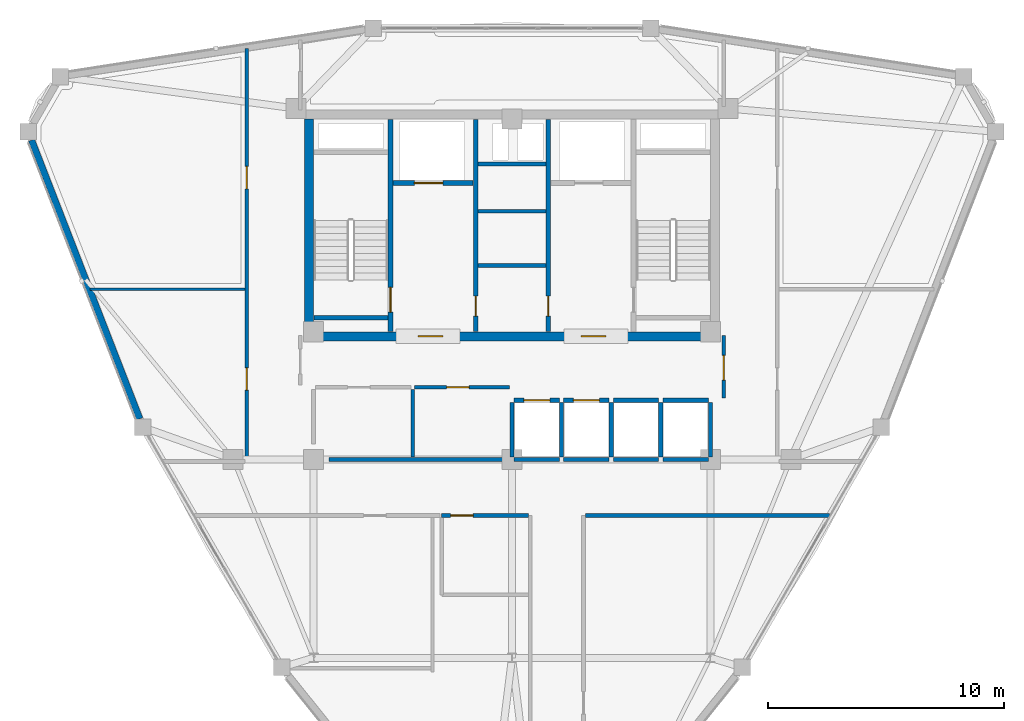
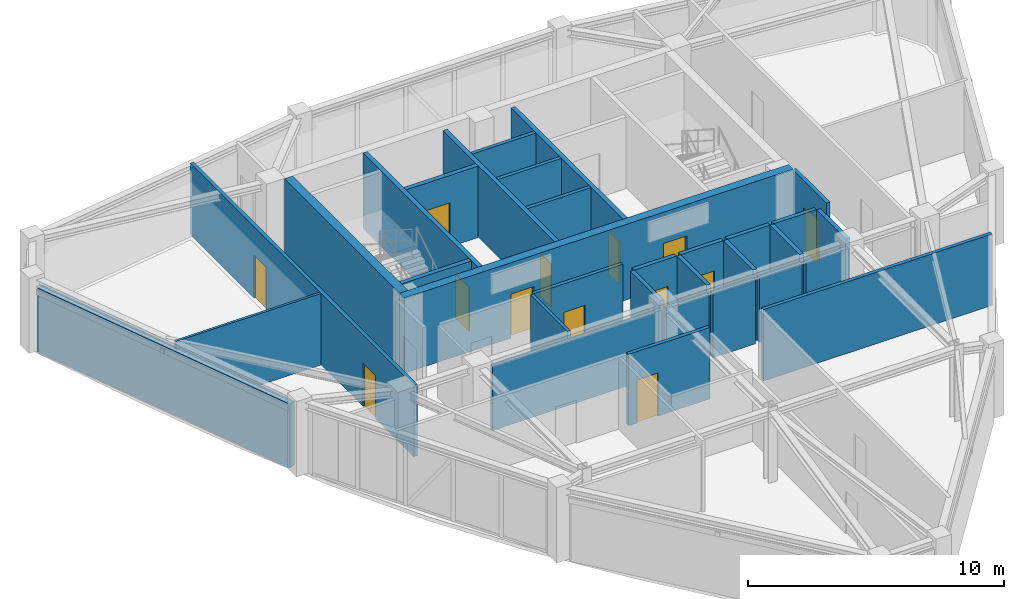
# One storey, part 12 of 15: 32 walls, 13 doors, 13 openings.
"""IFC4 building model written with IfcOpenShell, lengths in metres."""

from ifc_helpers import new_model, si_unit, derived_unit, direction, frame, frame_2d, origin, place, context, subcontext, project, spatial, rectangle, extrude, material, layer, layer_set, type_object, element, fill, save


model = new_model("IFC4")

# Units and contexts
model_context = context("Model", 3, precision=1e-05, world=origin(), true_north=direction((0.0, 1.0)))
body_context = subcontext(model_context, "Body", "Model", "MODEL_VIEW")
ifc_project = project(units=[si_unit("LENGTHUNIT", "METRE"), si_unit("AREAUNIT", "SQUARE_METRE"), si_unit("VOLUMEUNIT", "CUBIC_METRE"), si_unit("PLANEANGLEUNIT", "RADIAN"), si_unit("MASSUNIT", "GRAM", prefix="KILO"), derived_unit("THERMALTRANSMITTANCEUNIT", [(si_unit("POWERUNIT", "WATT"), 1), (si_unit("LENGTHUNIT", "METRE"), -2), (si_unit("THERMODYNAMICTEMPERATUREUNIT", "KELVIN"), -1)])], contexts=[model_context])

# Site, building, storey
site_placement = place(None, origin())
site = spatial("IfcSite", under=ifc_project, at=site_placement, CompositionType="ELEMENT")
building_placement = place(site_placement, origin())
building = spatial("IfcBuilding", under=site, at=building_placement, Name="Korsvarv Bourse and Concert Hall", CompositionType="ELEMENT")
storey_placement = place(building_placement, frame((0.0, 0.0, 264.60009765625)))
storey = spatial("IfcBuildingStorey", under=building, at=storey_placement, Name="L69", CompositionType="ELEMENT", Elevation=264.60009765625)

# Wall, openings, doors
ifc_material_1 = material(Name="Concrete C50/60", Category="concrete")
ifc_layer_1 = layer(ifc_material_1, 0.3798828125)
ifc_layer_set_1 = layer_set([ifc_layer_1], Name="Concrete C50/60")
wall_type_1 = type_object("IfcWallType", Name="WL-CORE-380", PredefinedType="SHEAR", material=ifc_layer_set_1)
wall_1_placement = place(storey_placement, frame((27.219970703125, 37.610107421875, 0.0), z_axis=(0.0, 0.0, 1.0), x_axis=(1.0, 0.0, 0.0)))
wall_1 = element("IfcWall", 1, at=wall_1_placement, inside=storey, type_object=wall_type_1, Name="L69 South Core Shear Wall", PredefinedType="SHEAR", context=body_context, shape_type="SweptSolid", body=[
    extrude(rectangle(XDim=17.56005859375, YDim=0.3798828125, at=frame_2d((8.780029296875, 0.0))), origin(), (0.0, 0.0, 1.0), 3.599853515625),
])
opening_1_placement = place(wall_1_placement, frame((4.804931640625, 0.0, 0.0)))
opening_1 = element("IfcOpeningElement", 2, at=opening_1_placement, cuts=wall_1, Name="Opening D-01", PredefinedType="OPENING", context=body_context, shape_type="SweptSolid", body=[
    extrude(rectangle(XDim=1.050048828125, YDim=2.10009765625, at=frame_2d((0.52490234375, 1.050048828125))), frame((0.0, 0.199951171875, 0.0), z_axis=(0.0, -1.0, 0.0), x_axis=(1.0, 0.0, 0.0)), (0.0, 0.0, 1.0), 0.39990234375),
])
opening_2_placement = place(wall_1_placement, frame((11.705078125, 0.0, 0.0)))
opening_2 = element("IfcOpeningElement", 3, at=opening_2_placement, cuts=wall_1, Name="Opening D-01", PredefinedType="OPENING", context=body_context, shape_type="SweptSolid", body=[
    extrude(rectangle(XDim=1.050048828125, YDim=2.10009765625, at=frame_2d((0.52490234375, 1.050048828125))), frame((0.0, 0.199951171875, 0.0), z_axis=(0.0, -1.0, 0.0), x_axis=(1.0, 0.0, 0.0)), (0.0, 0.0, 1.0), 0.39990234375),
])
ifc_material_2 = material(Name="Steel S355 fire door", Category="steel")
door_type_1 = type_object("IfcDoorType", Name="DR-FD60", OperationType="NOTDEFINED", PredefinedType="DOOR", material=ifc_material_2)
door_1_placement = place(opening_1_placement, frame((1.050048828125, 0.0, 0.0), z_axis=(0.0, 0.0, 1.0), x_axis=(-1.0, 0.0, 0.0)))
door_1 = element("IfcDoor", 4, at=door_1_placement, inside=storey, type_object=door_type_1, Name="L69 firefighting lobby fire door DR-L69-FFLW", OperationType="SINGLE_SWING_LEFT", OverallHeight=2.10009765625, OverallWidth=1.050048828125, PredefinedType="DOOR", context=body_context, shape_type="SweptSolid", body=[
    extrude(rectangle(XDim=1.050048828125, YDim=2.10009765625, at=frame_2d((0.52490234375, 1.050048828125))), frame((0.0, 0.02490234375, 0.0), z_axis=(0.0, -1.0, 0.0), x_axis=(1.0, 0.0, 0.0)), (0.0, 0.0, 1.0), 0.050048828125),
])
fill(opening_1, door_1)
door_2_placement = place(opening_2_placement, frame((1.050048828125, 0.0, 0.0), z_axis=(0.0, 0.0, 1.0), x_axis=(-1.0, 0.0, 0.0)))
door_2 = element("IfcDoor", 5, at=door_2_placement, inside=storey, type_object=door_type_1, Name="L69 firefighting lobby fire door DR-L69-FFLE", OperationType="SINGLE_SWING_RIGHT", OverallHeight=2.10009765625, OverallWidth=1.050048828125, PredefinedType="DOOR", context=body_context, shape_type="SweptSolid", body=[
    extrude(rectangle(XDim=1.050048828125, YDim=2.10009765625, at=frame_2d((0.52490234375, 1.050048828125))), frame((0.0, 0.02490234375, 0.0), z_axis=(0.0, -1.0, 0.0), x_axis=(1.0, 0.0, 0.0)), (0.0, 0.0, 1.0), 0.050048828125),
])
fill(opening_2, door_2)

# Wall
wall_2_placement = place(storey_placement, frame((27.409912109375, 37.800048828125, 0.0), z_axis=(0.0, 0.0, 1.0), x_axis=(0.0, 1.0, 0.0)))
element("IfcWall", 6, at=wall_2_placement, inside=storey, type_object=wall_type_1, Name="L69 West Core Shear Wall", PredefinedType="SHEAR", context=body_context, shape_type="SweptSolid", body=[
    extrude(rectangle(XDim=9.0, YDim=0.3798828125, at=frame_2d((4.5, 0.0))), origin(), (0.0, 0.0, 1.0), 3.599853515625),
])

# Wall, opening, door
wall_3_placement = place(storey_placement, frame((30.860107421875, 37.81005859375, 0.0), z_axis=(0.0, 0.0, 1.0), x_axis=(0.0, 1.0, 0.0)))
wall_3 = element("IfcWall", 7, at=wall_3_placement, inside=storey, type_object=wall_type_1, Name="L69 stair shaft structural wall W-L69-ST1-E", PredefinedType="SHEAR", context=body_context, shape_type="SweptSolid", body=[
    extrude(rectangle(XDim=8.97998046875, YDim=0.199951171875, at=frame_2d((4.489990234375, 0.0))), origin(), (0.0, 0.0, 1.0), 3.599853515625),
])
opening_3_placement = place(wall_3_placement, frame((0.820068359375, 0.0, 0.0)))
opening_3 = element("IfcOpeningElement", 8, at=opening_3_placement, cuts=wall_3, Name="Opening D-01", PredefinedType="OPENING", context=body_context, shape_type="SweptSolid", body=[
    extrude(rectangle(XDim=1.050048828125, YDim=2.10009765625, at=frame_2d((0.52490234375, 1.050048828125))), frame((0.0, 0.10986328125, 0.0), z_axis=(0.0, -1.0, 0.0), x_axis=(1.0, 0.0, 0.0)), (0.0, 0.0, 1.0), 0.219970703125),
])
door_3_placement = place(opening_3_placement, origin())
door_3 = element("IfcDoor", 9, at=door_3_placement, inside=storey, type_object=door_type_1, Name="L69 interior door DR-L69-ST1", OperationType="SINGLE_SWING_RIGHT", OverallHeight=2.10009765625, OverallWidth=1.050048828125, PredefinedType="DOOR", context=body_context, shape_type="SweptSolid", body=[
    extrude(rectangle(XDim=1.050048828125, YDim=2.10009765625, at=frame_2d((0.52490234375, 1.050048828125))), frame((0.0, 0.02490234375, 0.0), z_axis=(0.0, -1.0, 0.0), x_axis=(1.0, 0.0, 0.0)), (0.0, 0.0, 1.0), 0.050048828125),
])
fill(opening_3, door_3)

# Walls
wall_4_placement = place(storey_placement, frame((27.610107421875, 38.39990234375, 0.0), z_axis=(0.0, 0.0, 1.0), x_axis=(1.0, 0.0, 0.0)))
element("IfcWall", 10, at=wall_4_placement, inside=storey, type_object=wall_type_1, Name="L69 stair shaft structural wall W-L69-ST1-S", PredefinedType="SHEAR", context=body_context, shape_type="SweptSolid", body=[
    extrude(rectangle(XDim=3.139892578125, YDim=0.199951171875, at=frame_2d((1.56982421875, 0.0))), origin(), (0.0, 0.0, 1.0), 3.599853515625),
])
ifc_material_3 = material(Name="Precast concrete C45/55 with fluted terracotta pier", Category="concrete")
ifc_layer_2 = layer(ifc_material_3, 0.280029296875)
ifc_layer_set_2 = layer_set([ifc_layer_2], Name="Precast concrete C45/55 with fluted terracotta pier")
wall_type_2 = type_object("IfcWallType", Name="WL-EXT-TC2", PredefinedType="SOLIDWALL", material=ifc_layer_set_2)
wall_5_placement = place(storey_placement, frame((15.66357421875, 45.911376953125, 0.0), z_axis=(0.0, 0.0, 1.0), x_axis=(0.3618810561, -0.932224276253, 0.0)))
element("IfcWall", 11, at=wall_5_placement, inside=storey, type_object=wall_type_2, Name="L69 terracotta exterior wall EW-L69-B06", PredefinedType="SOLIDWALL", context=body_context, shape_type="SweptSolid", body=[
    extrude(rectangle(XDim=12.654296875, YDim=0.280029296875, at=frame_2d((6.3271484375, 0.0))), origin(), (0.0, 0.0, 1.0), 3.0498046875),
])

# Wall, opening, door
ifc_material_4 = material(Name="Reinforced concrete blockwork C35/45 fire wall", Category="concrete")
ifc_layer_3 = layer(ifc_material_4, 0.199951171875)
ifc_layer_set_3 = layer_set([ifc_layer_3], Name="Reinforced concrete blockwork C35/45 fire wall")
wall_type_3 = type_object("IfcWallType", Name="WL-INT-EI120", PredefinedType="PARTITIONING", material=ifc_layer_set_3)
wall_6_placement = place(storey_placement, frame((30.969970703125, 44.10009765625, 0.0), z_axis=(0.0, 0.0, 1.0), x_axis=(1.0, 0.0, 0.0)))
wall_6 = element("IfcWall", 12, at=wall_6_placement, inside=storey, type_object=wall_type_3, Name="L69 interior partition wall W-L69-FF1-S", PredefinedType="PARTITIONING", context=body_context, shape_type="SweptSolid", body=[
    extrude(rectangle(XDim=3.380126953125, YDim=0.199951171875, at=frame_2d((1.68994140625, 0.0))), origin(), (0.0, 0.0, 1.0), 3.409912109375),
])
opening_4_placement = place(wall_6_placement, frame((0.89990234375, 0.0, 0.0)))
opening_4 = element("IfcOpeningElement", 13, at=opening_4_placement, cuts=wall_6, Name="Opening LD-1", PredefinedType="OPENING", context=body_context, shape_type="SweptSolid", body=[
    extrude(rectangle(XDim=1.199951171875, YDim=2.10009765625, at=frame_2d((0.60009765625, 1.050048828125))), frame((0.0, 0.10986328125, 0.0), z_axis=(0.0, -1.0, 0.0), x_axis=(1.0, 0.0, 0.0)), (0.0, 0.0, 1.0), 0.219970703125),
])
ifc_material_5 = material(Name="Stainless Steel S355 firefighting lift landing door", Category="steel")
door_type_2 = type_object("IfcDoorType", Name="DR-LIFT-FF", OperationType="DOUBLE_DOOR_SLIDING", PredefinedType="DOOR", material=ifc_material_5)
door_4_placement = place(opening_4_placement, origin())
door_4 = element("IfcDoor", 14, at=door_4_placement, inside=storey, type_object=door_type_2, Name="L69 lift sliding landing door LD-L69-FF1", OperationType="DOUBLE_DOOR_SLIDING", OverallHeight=2.10009765625, OverallWidth=1.199951171875, PredefinedType="DOOR", context=body_context, shape_type="SweptSolid", body=[
    extrude(rectangle(XDim=1.199951171875, YDim=2.10009765625, at=frame_2d((0.60009765625, 1.050048828125))), frame((0.0, 0.02490234375, 0.0), z_axis=(0.0, -1.0, 0.0), x_axis=(1.0, 0.0, 0.0)), (0.0, 0.0, 1.0), 0.050048828125),
])
fill(opening_4, door_4)

wall_7_placement = place(storey_placement, frame((34.4599609375, 37.81005859375, 0.0), z_axis=(0.0, 0.0, 1.0), x_axis=(0.0, 1.0, 0.0)))
wall_7 = element("IfcWall", 15, at=wall_7_placement, inside=storey, type_object=wall_type_3, Name="L69 interior partition wall W-L69-CSB-W", PredefinedType="PARTITIONING", context=body_context, shape_type="SweptSolid", body=[
    extrude(rectangle(XDim=8.97998046875, YDim=0.199951171875, at=frame_2d((4.489990234375, 0.0))), origin(), (0.0, 0.0, 1.0), 3.409912109375),
])
opening_5_placement = place(wall_7_placement, frame((0.64990234375, 0.0, 0.0)))
opening_5 = element("IfcOpeningElement", 16, at=opening_5_placement, cuts=wall_7, Name="Opening D-05", PredefinedType="OPENING", context=body_context, shape_type="SweptSolid", body=[
    extrude(rectangle(XDim=0.85009765625, YDim=2.050048828125, at=frame_2d((0.425048828125, 1.02490234375))), frame((0.0, 0.10986328125, 0.0), z_axis=(0.0, -1.0, 0.0), x_axis=(1.0, 0.0, 0.0)), (0.0, 0.0, 1.0), 0.219970703125),
])
door_type_3 = type_object("IfcDoorType", Name="DR-FD60-850X2050", OperationType="NOTDEFINED", PredefinedType="DOOR", material=ifc_material_2)
door_5_placement = place(opening_5_placement, frame((0.85009765625, 0.0, 0.0), z_axis=(0.0, 0.0, 1.0), x_axis=(-1.0, 0.0, 0.0)))
door_5 = element("IfcDoor", 17, at=door_5_placement, inside=storey, type_object=door_type_3, Name="L69 interior door DR-L69-CSB1", OperationType="SINGLE_SWING_RIGHT", OverallHeight=2.050048828125, OverallWidth=0.85009765625, PredefinedType="DOOR", context=body_context, shape_type="SweptSolid", body=[
    extrude(rectangle(XDim=0.85009765625, YDim=2.050048828125, at=frame_2d((0.425048828125, 1.02490234375))), frame((0.0, 0.02490234375, 0.0), z_axis=(0.0, -1.0, 0.0), x_axis=(1.0, 0.0, 0.0)), (0.0, 0.0, 1.0), 0.050048828125),
])
fill(opening_5, door_5)

wall_8_placement = place(storey_placement, frame((37.5400390625, 37.81005859375, 0.0), z_axis=(0.0, 0.0, 1.0), x_axis=(0.0, 1.0, 0.0)))
wall_8 = element("IfcWall", 18, at=wall_8_placement, inside=storey, type_object=wall_type_3, Name="L69 interior partition wall W-L69-CSB-E", PredefinedType="PARTITIONING", context=body_context, shape_type="SweptSolid", body=[
    extrude(rectangle(XDim=8.97998046875, YDim=0.199951171875, at=frame_2d((4.489990234375, 0.0))), origin(), (0.0, 0.0, 1.0), 3.409912109375),
])
opening_6_placement = place(wall_8_placement, frame((0.64990234375, 0.0, 0.0)))
opening_6 = element("IfcOpeningElement", 19, at=opening_6_placement, cuts=wall_8, Name="Opening D-05", PredefinedType="OPENING", context=body_context, shape_type="SweptSolid", body=[
    extrude(rectangle(XDim=0.85009765625, YDim=2.050048828125, at=frame_2d((0.425048828125, 1.02490234375))), frame((0.0, 0.10986328125, 0.0), z_axis=(0.0, -1.0, 0.0), x_axis=(1.0, 0.0, 0.0)), (0.0, 0.0, 1.0), 0.219970703125),
])
door_6_placement = place(opening_6_placement, origin())
door_6 = element("IfcDoor", 20, at=door_6_placement, inside=storey, type_object=door_type_3, Name="L69 interior door DR-L69-CSB2", OperationType="SINGLE_SWING_LEFT", OverallHeight=2.050048828125, OverallWidth=0.85009765625, PredefinedType="DOOR", context=body_context, shape_type="SweptSolid", body=[
    extrude(rectangle(XDim=0.85009765625, YDim=2.050048828125, at=frame_2d((0.425048828125, 1.02490234375))), frame((0.0, 0.02490234375, 0.0), z_axis=(0.0, -1.0, 0.0), x_axis=(1.0, 0.0, 0.0)), (0.0, 0.0, 1.0), 0.050048828125),
])
fill(opening_6, door_6)

# Walls
ifc_material_6 = material(Name="Double-stud fire-rated acoustic partition", Category="gypsum")
ifc_layer_4 = layer(ifc_material_6, 0.159912109375)
ifc_layer_set_4 = layer_set([ifc_layer_4], Name="Double-stud fire-rated acoustic partition")
wall_type_4 = type_object("IfcWallType", Name="WL-INT-EI60", PredefinedType="PARTITIONING", material=ifc_layer_set_4)
for number, where, z_axis, x_axis, name in (
    (21, (34.570068359375, 40.60009765625, 0.0), (0.0, 0.0, 1.0), (1.0, 0.0, 0.0), "L69 interior partition wall W-L69-K1"),
    (22, (34.570068359375, 42.89990234375, 0.0), (0.0, 0.0, 1.0), (1.0, 0.0, 0.0), "L69 interior partition wall W-L69-K2"),
    (23, (34.570068359375, 44.89990234375, 0.0), (0.0, 0.0, 1.0), (1.0, 0.0, 0.0), "L69 interior partition wall W-L69-K3"),
):
    element("IfcWall", number, at=place(storey_placement, frame(where, z_axis=z_axis, x_axis=x_axis)), inside=storey, type_object=wall_type_4, Name=name, PredefinedType="PARTITIONING", context=body_context, shape_type="SweptSolid", body=[
        extrude(rectangle(XDim=2.85986328125, YDim=0.159912109375, at=frame_2d((1.429931640625, 0.0))), origin(), (0.0, 0.0, 1.0), 3.409912109375),
    ])
wall_9_placement = place(storey_placement, frame((28.25, 32.39990234375, 0.0), z_axis=(0.0, 0.0, 1.0), x_axis=(1.0, 0.0, 0.0)))
element("IfcWall", 24, at=wall_9_placement, inside=storey, type_object=wall_type_4, Name="L69 interior partition wall W-L69-FRD-S", PredefinedType="PARTITIONING", context=body_context, shape_type="SweptSolid", body=[
    extrude(rectangle(XDim=7.64990234375, YDim=0.159912109375, at=frame_2d((3.824951171875, 0.0))), origin(), (0.0, 0.0, 1.0), 3.079833984375),
])

# Wall, opening, door
wall_10_placement = place(storey_placement, frame((31.8798828125, 35.449951171875, 0.0), z_axis=(0.0, 0.0, 1.0), x_axis=(1.0, 0.0, 0.0)))
wall_10 = element("IfcWall", 25, at=wall_10_placement, inside=storey, type_object=wall_type_4, Name="L69 interior partition wall W-L69-FRD-N2", PredefinedType="PARTITIONING", context=body_context, shape_type="SweptSolid", body=[
    extrude(rectangle(XDim=4.02001953125, YDim=0.159912109375, at=frame_2d((2.010009765625, 0.0))), origin(), (0.0, 0.0, 1.0), 3.409912109375),
])
opening_7_placement = place(wall_10_placement, frame((1.35009765625, 0.0, 0.0)))
opening_7 = element("IfcOpeningElement", 26, at=opening_7_placement, cuts=wall_10, Name="Opening D-03", PredefinedType="OPENING", context=body_context, shape_type="SweptSolid", body=[
    extrude(rectangle(XDim=0.949951171875, YDim=2.050048828125, at=frame_2d((0.47509765625, 1.02490234375))), frame((0.0, 0.08984375, 0.0), z_axis=(0.0, -1.0, 0.0), x_axis=(1.0, 0.0, 0.0)), (0.0, 0.0, 1.0), 0.179931640625),
])
ifc_material_7 = material(Name="Nordic oak acoustic office door", Category="wood")
door_type_4 = type_object("IfcDoorType", Name="DR-INT-1", OperationType="NOTDEFINED", PredefinedType="DOOR", material=ifc_material_7)
door_7_placement = place(opening_7_placement, origin())
door_7 = element("IfcDoor", 27, at=door_7_placement, inside=storey, type_object=door_type_4, Name="L69 interior door DR-L69-FRDN2", OperationType="SINGLE_SWING_LEFT", OverallHeight=2.050048828125, OverallWidth=0.949951171875, PredefinedType="DOOR", context=body_context, shape_type="SweptSolid", body=[
    extrude(rectangle(XDim=0.949951171875, YDim=2.050048828125, at=frame_2d((0.47509765625, 1.02490234375))), frame((0.0, 0.02490234375, 0.0), z_axis=(0.0, -1.0, 0.0), x_axis=(1.0, 0.0, 0.0)), (0.0, 0.0, 1.0), 0.050048828125),
])
fill(opening_7, door_7)

wall_11_placement = place(storey_placement, frame((44.9599609375, 35.0, 0.0), z_axis=(0.0, 0.0, 1.0), x_axis=(0.0, 1.0, 0.0)))
wall_11 = element("IfcWall", 28, at=wall_11_placement, inside=storey, type_object=wall_type_4, Name="L69 interior partition wall W-L69-LOB-E", PredefinedType="PARTITIONING", context=body_context, shape_type="SweptSolid", body=[
    extrude(rectangle(XDim=2.64990234375, YDim=0.159912109375, at=frame_2d((1.324951171875, 0.0))), origin(), (0.0, 0.0, 1.0), 3.409912109375),
])
opening_8_placement = place(wall_11_placement, frame((0.75, 0.0, 0.0)))
opening_8 = element("IfcOpeningElement", 29, at=opening_8_placement, cuts=wall_11, Name="Opening D-01", PredefinedType="OPENING", context=body_context, shape_type="SweptSolid", body=[
    extrude(rectangle(XDim=1.050048828125, YDim=2.10009765625, at=frame_2d((0.52490234375, 1.050048828125))), frame((0.0, 0.08984375, 0.0), z_axis=(0.0, -1.0, 0.0), x_axis=(1.0, 0.0, 0.0)), (0.0, 0.0, 1.0), 0.179931640625),
])
door_8_placement = place(opening_8_placement, origin())
door_8 = element("IfcDoor", 30, at=door_8_placement, inside=storey, type_object=door_type_1, Name="L69 interior door DR-L69-LOBE", OperationType="SINGLE_SWING_LEFT", OverallHeight=2.10009765625, OverallWidth=1.050048828125, PredefinedType="DOOR", context=body_context, shape_type="SweptSolid", body=[
    extrude(rectangle(XDim=1.050048828125, YDim=2.10009765625, at=frame_2d((0.52490234375, 1.050048828125))), frame((0.0, 0.02490234375, 0.0), z_axis=(0.0, -1.0, 0.0), x_axis=(1.0, 0.0, 0.0)), (0.0, 0.0, 1.0), 0.050048828125),
])
fill(opening_8, door_8)

# Wall, openings, doors
wall_12_placement = place(storey_placement, frame((24.77490234375, 32.31005859375, 0.0), z_axis=(0.0, 0.0, 1.0), x_axis=(0.0, 1.0, 0.0)))
wall_12 = element("IfcWall", 31, at=wall_12_placement, inside=storey, type_object=wall_type_4, Name="L69 interior partition wall W-L69-TCOR-02", PredefinedType="PARTITIONING", context=body_context, shape_type="SweptSolid", body=[
    extrude(rectangle(XDim=17.4892578125, YDim=0.159912109375, at=frame_2d((8.74462890625, 0.0))), origin(), (0.0, 0.0, 1.0), 3.409912109375),
])
opening_9_placement = place(wall_12_placement, frame((3.017578125, 0.0, 0.0)))
opening_9 = element("IfcOpeningElement", 32, at=opening_9_placement, cuts=wall_12, Name="Opening D-02", PredefinedType="OPENING", context=body_context, shape_type="SweptSolid", body=[
    extrude(rectangle(XDim=0.949951171875, YDim=2.050048828125, at=frame_2d((0.47509765625, 1.02490234375))), frame((0.0, 0.08984375, 0.0), z_axis=(0.0, -1.0, 0.0), x_axis=(1.0, 0.0, 0.0)), (0.0, 0.0, 1.0), 0.179931640625),
])
opening_10_placement = place(wall_12_placement, frame((11.54052734375, 0.0, 0.0)))
opening_10 = element("IfcOpeningElement", 33, at=opening_10_placement, cuts=wall_12, Name="Opening D-02", PredefinedType="OPENING", context=body_context, shape_type="SweptSolid", body=[
    extrude(rectangle(XDim=0.949951171875, YDim=2.050048828125, at=frame_2d((0.47509765625, 1.02490234375))), frame((0.0, 0.08984375, 0.0), z_axis=(0.0, -1.0, 0.0), x_axis=(1.0, 0.0, 0.0)), (0.0, 0.0, 1.0), 0.179931640625),
])
ifc_material_8 = material(Name="Timber and steel acoustic fire door", Category="wood")
door_type_5 = type_object("IfcDoorType", Name="DR-FD30", OperationType="NOTDEFINED", PredefinedType="DOOR", material=ifc_material_8)
door_9_placement = place(opening_9_placement, origin())
door_9 = element("IfcDoor", 34, at=door_9_placement, inside=storey, type_object=door_type_5, Name="L69 interior door DR-L69-TCOR-FO57", OperationType="SINGLE_SWING_RIGHT", OverallHeight=2.050048828125, OverallWidth=0.949951171875, PredefinedType="DOOR", context=body_context, shape_type="SweptSolid", body=[
    extrude(rectangle(XDim=0.949951171875, YDim=2.050048828125, at=frame_2d((0.47509765625, 1.02490234375))), frame((0.0, 0.02490234375, 0.0), z_axis=(0.0, -1.0, 0.0), x_axis=(1.0, 0.0, 0.0)), (0.0, 0.0, 1.0), 0.050048828125),
])
fill(opening_9, door_9)
door_10_placement = place(opening_10_placement, origin())
door_10 = element("IfcDoor", 35, at=door_10_placement, inside=storey, type_object=door_type_5, Name="L69 interior door DR-L69-TCOR-FO68", OperationType="SINGLE_SWING_LEFT", OverallHeight=2.050048828125, OverallWidth=0.949951171875, PredefinedType="DOOR", context=body_context, shape_type="SweptSolid", body=[
    extrude(rectangle(XDim=0.949951171875, YDim=2.050048828125, at=frame_2d((0.47509765625, 1.02490234375))), frame((0.0, 0.02490234375, 0.0), z_axis=(0.0, -1.0, 0.0), x_axis=(1.0, 0.0, 0.0)), (0.0, 0.0, 1.0), 0.050048828125),
])
fill(opening_10, door_10)

# Wall
wall_13_placement = place(storey_placement, frame((39.10693359375, 30.02490234375, 0.0), z_axis=(0.0, 0.0, 1.0), x_axis=(1.0, 0.0, 0.0)))
element("IfcWall", 36, at=wall_13_placement, inside=storey, type_object=wall_type_4, Name="L69 interior partition wall W-L69-TCOR-05", PredefinedType="PARTITIONING", context=body_context, shape_type="SweptSolid", body=[
    extrude(rectangle(XDim=10.3359375, YDim=0.159912109375, at=frame_2d((5.16796875, 0.0))), origin(), (0.0, 0.0, 1.0), 3.409912109375),
])

# Wall, opening, door
wall_14_placement = place(storey_placement, frame((33.02001953125, 30.02490234375, 0.0), z_axis=(0.0, 0.0, 1.0), x_axis=(1.0, 0.0, 0.0)))
wall_14 = element("IfcWall", 37, at=wall_14_placement, inside=storey, type_object=wall_type_4, Name="L69 interior partition wall W-L69-TCOR-07", PredefinedType="PARTITIONING", context=body_context, shape_type="SweptSolid", body=[
    extrude(rectangle(XDim=3.673095703125, YDim=0.159912109375, at=frame_2d((1.83642578125, 0.0))), origin(), (0.0, 0.0, 1.0), 3.409912109375),
])
opening_11_placement = place(wall_14_placement, frame((0.3798828125, 0.0, 0.0)))
opening_11 = element("IfcOpeningElement", 38, at=opening_11_placement, cuts=wall_14, Name="Opening D-02", PredefinedType="OPENING", context=body_context, shape_type="SweptSolid", body=[
    extrude(rectangle(XDim=0.949951171875, YDim=2.050048828125, at=frame_2d((0.47509765625, 1.02490234375))), frame((0.0, 0.08984375, 0.0), z_axis=(0.0, -1.0, 0.0), x_axis=(1.0, 0.0, 0.0)), (0.0, 0.0, 1.0), 0.179931640625),
])
door_11_placement = place(opening_11_placement, origin())
door_11 = element("IfcDoor", 39, at=door_11_placement, inside=storey, type_object=door_type_5, Name="L69 interior door DR-L69-TCOR-RWC", OperationType="SINGLE_SWING_LEFT", OverallHeight=2.050048828125, OverallWidth=0.949951171875, PredefinedType="DOOR", context=body_context, shape_type="SweptSolid", body=[
    extrude(rectangle(XDim=0.949951171875, YDim=2.050048828125, at=frame_2d((0.47509765625, 1.02490234375))), frame((0.0, 0.02490234375, 0.0), z_axis=(0.0, -1.0, 0.0), x_axis=(1.0, 0.0, 0.0)), (0.0, 0.0, 1.0), 0.050048828125),
])
fill(opening_11, door_11)

ifc_material_9 = material(Name="Gypsum-clad autoclaved concrete shaft wall C30/37", Category="concrete")
ifc_layer_5 = layer(ifc_material_9, 0.179931640625)
ifc_layer_set_5 = layer_set([ifc_layer_5], Name="Gypsum-clad autoclaved concrete shaft wall C30/37")
wall_type_5 = type_object("IfcWallType", Name="WL-INT-EI90", PredefinedType="PARTITIONING", material=ifc_layer_set_5)
wall_15_placement = place(storey_placement, frame((36.090087890625, 34.89990234375, 0.0), z_axis=(0.0, 0.0, 1.0), x_axis=(1.0, 0.0, 0.0)))
wall_15 = element("IfcWall", 40, at=wall_15_placement, inside=storey, type_object=wall_type_5, Name="L69 interior partition wall W-L69-SHFN-PH1", PredefinedType="PARTITIONING", context=body_context, shape_type="SweptSolid", body=[
    extrude(rectangle(XDim=1.919921875, YDim=0.179931640625, at=frame_2d((0.9599609375, 0.0))), origin(), (0.0, 0.0, 1.0), 3.409912109375),
])
opening_12_placement = place(wall_15_placement, frame((0.409912109375, 0.0, 0.0)))
opening_12 = element("IfcOpeningElement", 41, at=opening_12_placement, cuts=wall_15, Name="Opening LD-2", PredefinedType="OPENING", context=body_context, shape_type="SweptSolid", body=[
    extrude(rectangle(XDim=1.10009765625, YDim=2.10009765625, at=frame_2d((0.550048828125, 1.050048828125))), frame((0.0, 0.10009765625, 0.0), z_axis=(0.0, -1.0, 0.0), x_axis=(1.0, 0.0, 0.0)), (0.0, 0.0, 1.0), 0.199951171875),
])
ifc_material_10 = material(Name="Brushed stainless Steel S355 lift landing door", Category="steel")
door_type_6 = type_object("IfcDoorType", Name="DR-LIFT-P", OperationType="DOUBLE_DOOR_SLIDING", PredefinedType="DOOR", material=ifc_material_10)
door_12_placement = place(opening_12_placement, origin())
door_12 = element("IfcDoor", 42, at=door_12_placement, inside=storey, type_object=door_type_6, Name="L69 lift sliding landing door LD-L69-PH1", OperationType="DOUBLE_DOOR_SLIDING", OverallHeight=2.10009765625, OverallWidth=1.10009765625, PredefinedType="DOOR", context=body_context, shape_type="SweptSolid", body=[
    extrude(rectangle(XDim=1.10009765625, YDim=2.10009765625, at=frame_2d((0.550048828125, 1.050048828125))), frame((0.0, 0.02490234375, 0.0), z_axis=(0.0, -1.0, 0.0), x_axis=(1.0, 0.0, 0.0)), (0.0, 0.0, 1.0), 0.050048828125),
])
fill(opening_12, door_12)

# Walls
wall_16_placement = place(storey_placement, frame((36.090087890625, 32.39990234375, 0.0), z_axis=(0.0, 0.0, 1.0), x_axis=(1.0, 0.0, 0.0)))
element("IfcWall", 43, at=wall_16_placement, inside=storey, type_object=wall_type_5, Name="L69 interior partition wall W-L69-SHFS-PH1", PredefinedType="PARTITIONING", context=body_context, shape_type="SweptSolid", body=[
    extrude(rectangle(XDim=1.919921875, YDim=0.179931640625, at=frame_2d((0.9599609375, 0.0))), origin(), (0.0, 0.0, 1.0), 3.079833984375),
])
wall_17_placement = place(storey_placement, frame((36.0, 32.489990234375, 0.0), z_axis=(0.0, 0.0, 1.0), x_axis=(0.0, 1.0, 0.0)))
element("IfcWall", 44, at=wall_17_placement, inside=storey, type_object=wall_type_5, Name="L69 interior partition wall W-L69-SHFW-PH1", PredefinedType="PARTITIONING", context=body_context, shape_type="SweptSolid", body=[
    extrude(rectangle(XDim=2.320068359375, YDim=0.179931640625, at=frame_2d((1.16015625, 0.0))), origin(), (0.0, 0.0, 1.0), 3.409912109375),
])

# Wall, opening, door
wall_18_placement = place(storey_placement, frame((38.18994140625, 34.89990234375, 0.0), z_axis=(0.0, 0.0, 1.0), x_axis=(1.0, 0.0, 0.0)))
wall_18 = element("IfcWall", 45, at=wall_18_placement, inside=storey, type_object=wall_type_5, Name="L69 interior partition wall W-L69-SHFN-PH2", PredefinedType="PARTITIONING", context=body_context, shape_type="SweptSolid", body=[
    extrude(rectangle(XDim=1.920166015625, YDim=0.179931640625, at=frame_2d((0.9599609375, 0.0))), origin(), (0.0, 0.0, 1.0), 3.409912109375),
])
opening_13_placement = place(wall_18_placement, frame((0.409912109375, 0.0, 0.0)))
opening_13 = element("IfcOpeningElement", 46, at=opening_13_placement, cuts=wall_18, Name="Opening LD-2", PredefinedType="OPENING", context=body_context, shape_type="SweptSolid", body=[
    extrude(rectangle(XDim=1.10009765625, YDim=2.10009765625, at=frame_2d((0.550048828125, 1.050048828125))), frame((0.0, 0.10009765625, 0.0), z_axis=(0.0, -1.0, 0.0), x_axis=(1.0, 0.0, 0.0)), (0.0, 0.0, 1.0), 0.199951171875),
])
door_13_placement = place(opening_13_placement, origin())
door_13 = element("IfcDoor", 47, at=door_13_placement, inside=storey, type_object=door_type_6, Name="L69 lift sliding landing door LD-L69-PH2", OperationType="DOUBLE_DOOR_SLIDING", OverallHeight=2.10009765625, OverallWidth=1.10009765625, PredefinedType="DOOR", context=body_context, shape_type="SweptSolid", body=[
    extrude(rectangle(XDim=1.10009765625, YDim=2.10009765625, at=frame_2d((0.550048828125, 1.050048828125))), frame((0.0, 0.02490234375, 0.0), z_axis=(0.0, -1.0, 0.0), x_axis=(1.0, 0.0, 0.0)), (0.0, 0.0, 1.0), 0.050048828125),
])
fill(opening_13, door_13)

# Walls
wall_19_placement = place(storey_placement, frame((38.18994140625, 32.39990234375, 0.0), z_axis=(0.0, 0.0, 1.0), x_axis=(1.0, 0.0, 0.0)))
element("IfcWall", 48, at=wall_19_placement, inside=storey, type_object=wall_type_5, Name="L69 interior partition wall W-L69-SHFS-PH2", PredefinedType="PARTITIONING", context=body_context, shape_type="SweptSolid", body=[
    extrude(rectangle(XDim=1.920166015625, YDim=0.179931640625, at=frame_2d((0.9599609375, 0.0))), origin(), (0.0, 0.0, 1.0), 3.079833984375),
])
wall_20_placement = place(storey_placement, frame((38.10009765625, 32.489990234375, 0.0), z_axis=(0.0, 0.0, 1.0), x_axis=(0.0, 1.0, 0.0)))
element("IfcWall", 49, at=wall_20_placement, inside=storey, type_object=wall_type_5, Name="L69 interior partition wall W-L69-SHFW-PH2", PredefinedType="PARTITIONING", context=body_context, shape_type="SweptSolid", body=[
    extrude(rectangle(XDim=2.320068359375, YDim=0.179931640625, at=frame_2d((1.16015625, 0.0))), origin(), (0.0, 0.0, 1.0), 3.409912109375),
])
wall_21_placement = place(storey_placement, frame((40.2900390625, 34.89990234375, 0.0), z_axis=(0.0, 0.0, 1.0), x_axis=(1.0, 0.0, 0.0)))
element("IfcWall", 50, at=wall_21_placement, inside=storey, type_object=wall_type_5, Name="L69 interior partition wall W-L69-SHFN-PO1", PredefinedType="PARTITIONING", context=body_context, shape_type="SweptSolid", body=[
    extrude(rectangle(XDim=1.919921875, YDim=0.179931640625, at=frame_2d((0.9599609375, 0.0))), origin(), (0.0, 0.0, 1.0), 3.409912109375),
])
wall_22_placement = place(storey_placement, frame((40.2900390625, 32.39990234375, 0.0), z_axis=(0.0, 0.0, 1.0), x_axis=(1.0, 0.0, 0.0)))
element("IfcWall", 51, at=wall_22_placement, inside=storey, type_object=wall_type_5, Name="L69 interior partition wall W-L69-SHFS-PO1", PredefinedType="PARTITIONING", context=body_context, shape_type="SweptSolid", body=[
    extrude(rectangle(XDim=1.919921875, YDim=0.179931640625, at=frame_2d((0.9599609375, 0.0))), origin(), (0.0, 0.0, 1.0), 3.079833984375),
])
wall_23_placement = place(storey_placement, frame((40.199951171875, 32.489990234375, 0.0), z_axis=(0.0, 0.0, 1.0), x_axis=(0.0, 1.0, 0.0)))
element("IfcWall", 52, at=wall_23_placement, inside=storey, type_object=wall_type_5, Name="L69 interior partition wall W-L69-SHFW-PO1", PredefinedType="PARTITIONING", context=body_context, shape_type="SweptSolid", body=[
    extrude(rectangle(XDim=2.320068359375, YDim=0.179931640625, at=frame_2d((1.16015625, 0.0))), origin(), (0.0, 0.0, 1.0), 3.409912109375),
])
wall_24_placement = place(storey_placement, frame((42.389892578125, 34.89990234375, 0.0), z_axis=(0.0, 0.0, 1.0), x_axis=(1.0, 0.0, 0.0)))
element("IfcWall", 53, at=wall_24_placement, inside=storey, type_object=wall_type_5, Name="L69 interior partition wall W-L69-SHFN-PO2", PredefinedType="PARTITIONING", context=body_context, shape_type="SweptSolid", body=[
    extrude(rectangle(XDim=1.920166015625, YDim=0.179931640625, at=frame_2d((0.9599609375, 0.0))), origin(), (0.0, 0.0, 1.0), 3.409912109375),
])
wall_25_placement = place(storey_placement, frame((42.389892578125, 32.39990234375, 0.0), z_axis=(0.0, 0.0, 1.0), x_axis=(1.0, 0.0, 0.0)))
element("IfcWall", 54, at=wall_25_placement, inside=storey, type_object=wall_type_5, Name="L69 interior partition wall W-L69-SHFS-PO2", PredefinedType="PARTITIONING", context=body_context, shape_type="SweptSolid", body=[
    extrude(rectangle(XDim=1.920166015625, YDim=0.179931640625, at=frame_2d((0.9599609375, 0.0))), origin(), (0.0, 0.0, 1.0), 3.079833984375),
])
for number, where, z_axis, x_axis, name in (
    (55, (42.300048828125, 32.489990234375, 0.0), (0.0, 0.0, 1.0), (0.0, 1.0, 0.0), "L69 interior partition wall W-L69-SHFW-PO2"),
    (56, (44.39990234375, 32.489990234375, 0.0), (0.0, 0.0, 1.0), (0.0, 1.0, 0.0), "L69 interior partition wall W-L69-SHFE-END"),
):
    element("IfcWall", number, at=place(storey_placement, frame(where, z_axis=z_axis, x_axis=x_axis)), inside=storey, type_object=wall_type_5, Name=name, PredefinedType="PARTITIONING", context=body_context, shape_type="SweptSolid", body=[
        extrude(rectangle(XDim=2.320068359375, YDim=0.179931640625, at=frame_2d((1.16015625, 0.0))), origin(), (0.0, 0.0, 1.0), 3.409912109375),
    ])
ifc_material_11 = material(Name="Demountable acoustic glass and aluminium dealing partition", Category="aluminium")
ifc_layer_6 = layer(ifc_material_11, 0.110107421875)
ifc_layer_set_6 = layer_set([ifc_layer_6], Name="Demountable acoustic glass and aluminium dealing partition")
wall_type_6 = type_object("IfcWallType", Name="WL-INT-MOV", PredefinedType="MOVABLE", material=ifc_layer_set_6)
wall_26_placement = place(storey_placement, frame((18.131591796875, 39.60498046875, 0.0), z_axis=(0.0, 0.0, 1.0), x_axis=(1.0, 0.0, 0.0)))
element("IfcWall", 57, at=wall_26_placement, inside=storey, type_object=wall_type_6, Name="L69 interior partition wall W-L69-TCOR-13", PredefinedType="MOVABLE", context=body_context, shape_type="SweptSolid", body=[
    extrude(rectangle(XDim=6.5615234375, YDim=0.110107421875, at=frame_2d((3.28076171875, 0.0))), origin(), (0.0, 0.0, 1.0), 3.409912109375),
])
ifc_material_12 = material(Name="Insulated steel-stud office acoustic partition", Category="gypsum")
ifc_layer_7 = layer(ifc_material_12, 0.139892578125)
ifc_layer_set_7 = layer_set([ifc_layer_7], Name="Insulated steel-stud office acoustic partition")
wall_type_7 = type_object("IfcWallType", Name="WL-INT-P1", PredefinedType="PARTITIONING", material=ifc_layer_set_7)
wall_27_placement = place(storey_placement, frame((31.800048828125, 32.489990234375, 0.0), z_axis=(0.0, 0.0, 1.0), x_axis=(0.0, 1.0, 0.0)))
element("IfcWall", 58, at=wall_27_placement, inside=storey, type_object=wall_type_7, Name="L69 interior partition wall W-L69-FRD-V", PredefinedType="PARTITIONING", context=body_context, shape_type="SweptSolid", body=[
    extrude(rectangle(XDim=2.8701171875, YDim=0.139892578125, at=frame_2d((1.43505859375, 0.0))), origin(), (0.0, 0.0, 1.0), 3.409912109375),
])

save(model, "model.ifc")
